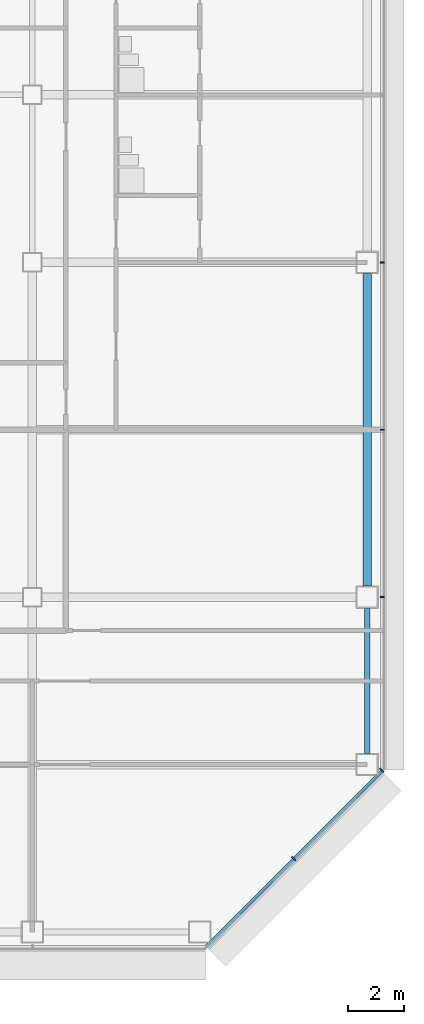
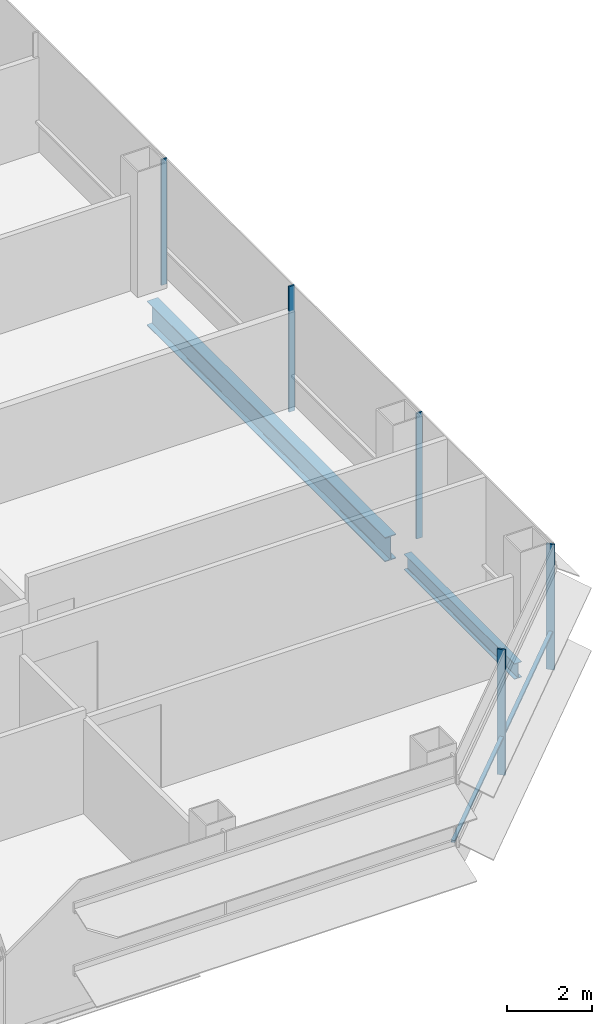
# One storey, part 15 of 25: 6 members, 2 beams, 2 elements without a shape of their own.
"""IFC4 building model written with IfcOpenShell, lengths in metres."""

from ifc_helpers import new_model, si_unit, direction, frame, origin, origin_2d, place, context, subcontext, project, spatial, rectangle, i_section, extrude, material, material_profile, profile_set, type_object, element, aggregate, save


model = new_model("IFC4")

# Units and contexts
model_context = context("Model", 3, precision=1e-05, world=origin(), true_north=direction((0.0, 1.0)))
body_context = subcontext(model_context, "Body", "Model", "MODEL_VIEW")
ifc_project = project(units=[si_unit("LENGTHUNIT", "METRE"), si_unit("AREAUNIT", "SQUARE_METRE"), si_unit("VOLUMEUNIT", "CUBIC_METRE"), si_unit("PLANEANGLEUNIT", "RADIAN"), si_unit("MASSUNIT", "GRAM", prefix="KILO")], contexts=[model_context])

# Site, building, storey
site_placement = place(None, origin())
site = spatial("IfcSite", under=ifc_project, at=site_placement, CompositionType="ELEMENT")
building_placement = place(site_placement, origin())
building = spatial("IfcBuilding", under=site, at=building_placement, Name="Sorahane Residences", CompositionType="ELEMENT")
storey_placement = place(building_placement, frame((0.0, 0.0, 107.0)))
storey = spatial("IfcBuildingStorey", under=building, at=storey_placement, Name="L23", CompositionType="ELEMENT", Elevation=107.0)

# Curtain wall, members
ifc_material_1 = material(Name="Dark low-e glass and black anodised aluminium", Category="aluminium")
curtain_wall_type_1 = type_object("IfcCurtainWallType", Name="Curtain wall CW-1 Typical unitised wall", PredefinedType="NOTDEFINED", material=ifc_material_1)
curtain_wall_1_placement = place(storey_placement, origin())
curtain_wall_1 = element("IfcCurtainWall", 1, at=curtain_wall_1_placement, inside=storey, type_object=curtain_wall_type_1, Name="CW-1 curtain wall L23 E1", PredefinedType="NOTDEFINED")
ifc_material_2 = material(Name="Black anodised aluminium", Category="aluminium")
ifc_material_profile_1 = material_profile(ifc_material_2, rectangle(XDim=0.159912109375, YDim=0.050048828125, at=origin_2d()), Name="Curtain wall mullion CW-1 black anodised aluminium 50x160")
ifc_profile_set_1 = profile_set([ifc_material_profile_1], Name="Black anodised aluminium")
member_type_1 = type_object("IfcMemberType", Name="Curtain wall mullion CW-1 black anodised aluminium 50x160", PredefinedType="MULLION", material=ifc_profile_set_1)
member_1_placement = place(storey_placement, frame((60.5400390625, 12.0, -0.179931640625), z_axis=(0.0, 0.0, 1.0), x_axis=(1.0, 0.0, 0.0)))
member_1 = element("IfcMember", 2, at=member_1_placement, type_object=member_type_1, Name="CW-1 mullion L23 E1.2", PredefinedType="MULLION", context=body_context, shape_type="SweptSolid", body=[
    extrude(rectangle(XDim=0.159912109375, YDim=0.050048828125, at=origin_2d()), origin(), (0.0, 0.0, 1.0), 3.599853515625),
])
member_2_placement = place(storey_placement, frame((60.5400390625, 18.0, -0.179931640625), z_axis=(0.0, 0.0, 1.0), x_axis=(1.0, 0.0, 0.0)))
member_2 = element("IfcMember", 3, at=member_2_placement, type_object=member_type_1, Name="CW-1 mullion L23 E1.3", PredefinedType="MULLION", context=body_context, shape_type="SweptSolid", body=[
    extrude(rectangle(XDim=0.159912109375, YDim=0.050048828125, at=origin_2d()), origin(), (0.0, 0.0, 1.0), 3.599853515625),
])
member_3_placement = place(storey_placement, frame((60.5400390625, 24.0, -0.179931640625), z_axis=(0.0, 0.0, 1.0), x_axis=(1.0, 0.0, 0.0)))
member_3 = element("IfcMember", 4, at=member_3_placement, type_object=member_type_1, Name="CW-1 mullion L23 E1.4", PredefinedType="MULLION", context=body_context, shape_type="SweptSolid", body=[
    extrude(rectangle(XDim=0.159912109375, YDim=0.050048828125, at=origin_2d()), origin(), (0.0, 0.0, 1.0), 3.599853515625),
])
aggregate(curtain_wall_1, [member_1, member_2, member_3])

ifc_material_3 = material(Name="Dark low-e glass and black anodised aluminium", Category="aluminium")
curtain_wall_type_2 = type_object("IfcCurtainWallType", Name="Curtain wall CW-2 Chamfer unitised wall", PredefinedType="NOTDEFINED", material=ifc_material_3)
curtain_wall_2_placement = place(storey_placement, origin())
curtain_wall_2 = element("IfcCurtainWall", 5, at=curtain_wall_2_placement, inside=storey, type_object=curtain_wall_type_2, Name="CW-2 curtain wall L23 SE1", PredefinedType="NOTDEFINED")
ifc_material_4 = material(Name="Black anodised aluminium", Category="aluminium")
ifc_material_profile_2 = material_profile(ifc_material_4, rectangle(XDim=0.199951171875, YDim=0.050048828125, at=origin_2d()), Name="Curtain wall mullion CW-2 black anodised aluminium 50x200")
ifc_profile_set_2 = profile_set([ifc_material_profile_2], Name="Black anodised aluminium")
member_type_2 = type_object("IfcMemberType", Name="Curtain wall mullion CW-2 black anodised aluminium 50x200", PredefinedType="MULLION", material=ifc_profile_set_2)
member_4_placement = place(storey_placement, frame((57.36767578125, 2.63232421875, -0.179931640625), z_axis=(0.0, 0.0, 1.0), x_axis=(0.707106781187, -0.707106781187, 0.0)))
member_4 = element("IfcMember", 6, at=member_4_placement, type_object=member_type_2, Name="CW-2 mullion L23 SE1.2", PredefinedType="MULLION", context=body_context, shape_type="SweptSolid", body=[
    extrude(rectangle(XDim=0.199951171875, YDim=0.050048828125, at=origin_2d()), origin(), (0.0, 0.0, 1.0), 3.599853515625),
])
member_5_placement = place(storey_placement, frame((60.525634765625, 5.790283203125, -0.179931640625), z_axis=(0.0, 0.0, 1.0), x_axis=(0.707106781187, -0.707106781187, 0.0)))
member_5 = element("IfcMember", 7, at=member_5_placement, type_object=member_type_2, Name="CW-2 mullion L23 SE1.3", PredefinedType="MULLION", context=body_context, shape_type="SweptSolid", body=[
    extrude(rectangle(XDim=0.199951171875, YDim=0.050048828125, at=origin_2d()), origin(), (0.0, 0.0, 1.0), 3.599853515625),
])
ifc_material_5 = material(Name="Black anodised aluminium", Category="aluminium")
ifc_material_profile_3 = material_profile(ifc_material_5, rectangle(XDim=0.10009765625, YDim=0.06005859375, at=origin_2d()), Name="Curtain wall transom CW-2 black anodised aluminium 60x100")
ifc_profile_set_3 = profile_set([ifc_material_profile_3], Name="Black anodised aluminium")
member_type_3 = type_object("IfcMemberType", Name="Curtain wall transom CW-2 black anodised aluminium 60x100", PredefinedType="USERDEFINED", material=ifc_profile_set_3)
member_6_placement = place(storey_placement, frame((54.234375, -0.51513671875, 0.89990234375), z_axis=(0.707106781187, 0.707106781187, 0.0), x_axis=(-0.707106781187, 0.707106781187, 0.0)))
member_6 = element("IfcMember", 8, at=member_6_placement, type_object=member_type_3, Name="CW-2 transom L23 SE1", ObjectType="TRANSOM", PredefinedType="USERDEFINED", context=body_context, shape_type="SweptSolid", body=[
    extrude(rectangle(XDim=0.10009765625, YDim=0.06005859375, at=origin_2d()), origin(), (0.0, 0.0, 1.0), 8.88232421875),
])
aggregate(curtain_wall_2, [member_4, member_5, member_6])

# Beams
ifc_material_6 = material(Name="Steel Q355B", Category="steel")
ifc_material_profile_4 = material_profile(ifc_material_6, i_section(OverallWidth=0.199951171875, OverallDepth=0.449951171875, WebThickness=0.009033203125, FlangeThickness=0.013916015625, FilletRadius=0.02001953125, at=origin_2d()), Name="HN 450x200x9x14")
ifc_profile_set_4 = profile_set([ifc_material_profile_4], Name="Steel Q355B")
beam_type_1 = type_object("IfcBeamType", Name="Steel floor beam HN 450x200x9x14 Q355B", PredefinedType="BEAM", material=ifc_profile_set_4)
beam_1_placement = place(storey_placement, frame((60.0, 6.39990234375, -0.405029296875), z_axis=(0.0, 1.0, 0.0), x_axis=(-1.0, 0.0, 0.0)))
element("IfcBeam", 9, at=beam_1_placement, inside=storey, type_object=beam_type_1, Name="Beam L23 064", PredefinedType="BEAM", context=body_context, shape_type="SweptSolid", body=[
    extrude(i_section(OverallWidth=0.199951171875, OverallDepth=0.449951171875, WebThickness=0.009033203125, FlangeThickness=0.013916015625, FilletRadius=0.02001953125, at=origin_2d()), origin(), (0.0, 0.0, 1.0), 5.2001953125),
])
ifc_material_7 = material(Name="Steel Q355B", Category="steel")
ifc_material_profile_5 = material_profile(ifc_material_7, i_section(OverallWidth=0.300048828125, OverallDepth=0.699951171875, WebThickness=0.012939453125, FlangeThickness=0.02392578125, FilletRadius=0.028076171875, at=origin_2d()), Name="HN 700x300x13x24")
ifc_profile_set_5 = profile_set([ifc_material_profile_5], Name="Steel Q355B")
beam_type_2 = type_object("IfcBeamType", Name="Steel floor beam HN 700x300x13x24 Q355B", PredefinedType="BEAM", material=ifc_profile_set_5)
beam_2_placement = place(storey_placement, frame((60.0, 12.39990234375, -0.530029296875), z_axis=(0.0, 1.0, 0.0), x_axis=(-1.0, 0.0, 0.0)))
element("IfcBeam", 10, at=beam_2_placement, inside=storey, type_object=beam_type_2, Name="Beam L23 065", PredefinedType="BEAM", context=body_context, shape_type="SweptSolid", body=[
    extrude(i_section(OverallWidth=0.300048828125, OverallDepth=0.699951171875, WebThickness=0.012939453125, FlangeThickness=0.02392578125, FilletRadius=0.028076171875, at=origin_2d()), origin(), (0.0, 0.0, 1.0), 11.2001953125),
])

save(model, "model.ifc")
